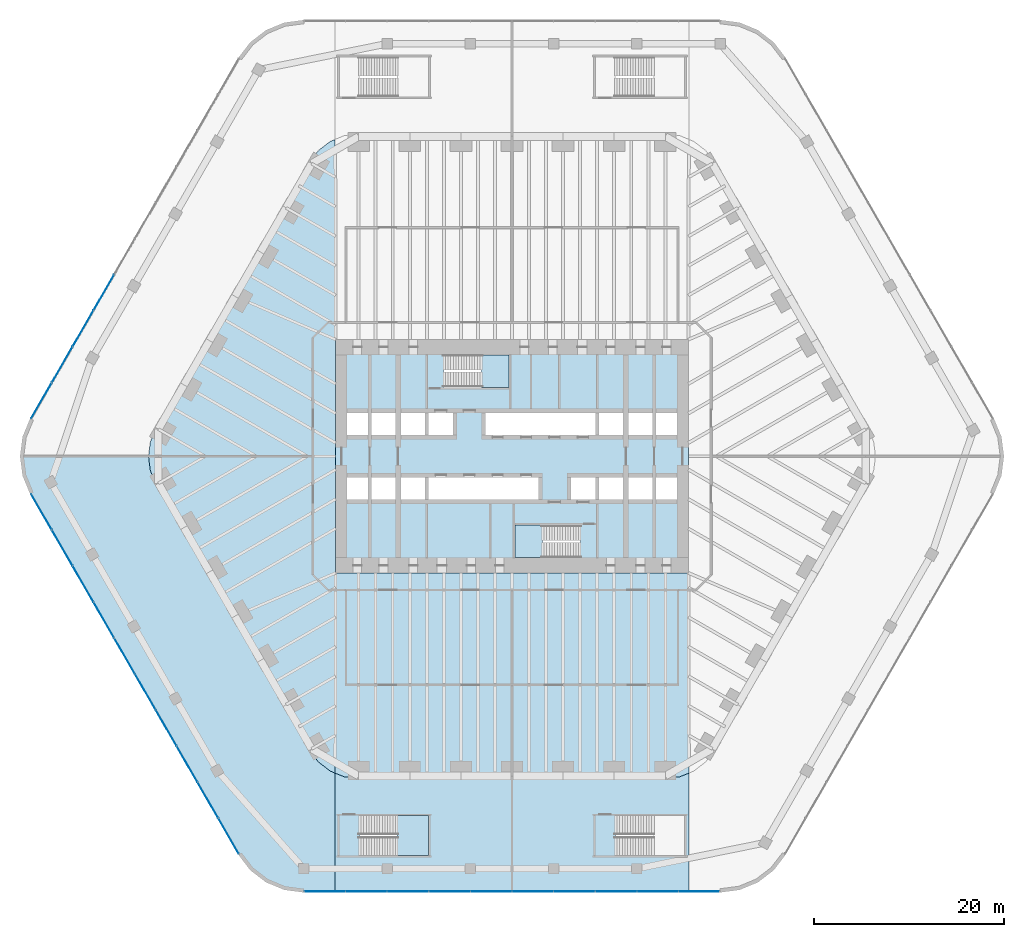
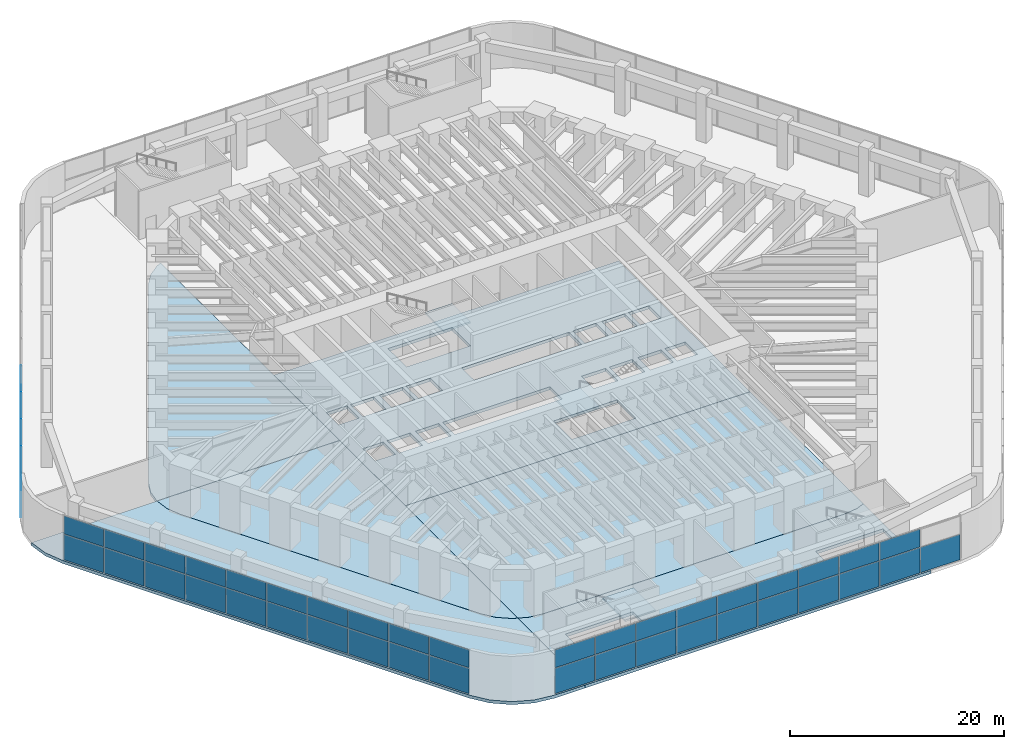
# One storey, part 23 of 31: 47 plates, 9 slabs, 6 elements without a shape of their own.
"""IFC4 building model written with IfcOpenShell, lengths in metres."""

from ifc_helpers import new_model, si_unit, direction, frame, origin, origin_2d, place, context, subcontext, project, spatial, polyline, rectangle, outline, extrude, material, layer, layer_set, type_object, element, aggregate, save


model = new_model("IFC4")

# Units and contexts
model_context = context("Model", 3, precision=1e-05, world=origin(), true_north=direction((0.0, 1.0)))
body_context = subcontext(model_context, "Body", "Model", "MODEL_VIEW")
ifc_project = project(units=[si_unit("LENGTHUNIT", "METRE"), si_unit("AREAUNIT", "SQUARE_METRE"), si_unit("VOLUMEUNIT", "CUBIC_METRE"), si_unit("PLANEANGLEUNIT", "RADIAN"), si_unit("MASSUNIT", "GRAM", prefix="KILO")], contexts=[model_context])

# Site, building, storey
site_placement = place(None, origin())
site = spatial("IfcSite", under=ifc_project, at=site_placement, CompositionType="ELEMENT")
building_placement = place(site_placement, origin())
building = spatial("IfcBuilding", under=site, at=building_placement, Name="Tarfa Lantern Tower", CompositionType="ELEMENT")
storey_placement = place(building_placement, frame((0.0, 0.0, 13.0)))
storey = spatial("IfcBuildingStorey", under=building, at=storey_placement, Name="L02", CompositionType="ELEMENT", Elevation=13.0)

# Curtain wall, plates
ifc_material_1 = material(Name="Aluminium framed curtain wall", Category="aluminium")
curtain_wall_type = type_object("IfcCurtainWallType", Name="CW7 PODIUM GLAZING 5150", PredefinedType="USERDEFINED", material=ifc_material_1)
curtain_wall_1_placement = place(storey_placement, origin())
curtain_wall_1 = element("IfcCurtainWall", 1, at=curtain_wall_1_placement, inside=storey, type_object=curtain_wall_type, Name="CW7 NW L02", ObjectType="CURTAIN WALL", PredefinedType="USERDEFINED")
ifc_material_2 = material(Name="Laminated double glazing", Category="glass")
ifc_layer_1 = layer(ifc_material_2, 0.028076171875)
ifc_layer_set_1 = layer_set([ifc_layer_1], Name="CWP1 DOUBLE GLAZED PANEL")
plate_type = type_object("IfcPlateType", Name="CWP1 DOUBLE GLAZED PANEL", PredefinedType="CURTAIN_PANEL", material=ifc_layer_set_1)
plate_1_placement = place(storey_placement, frame((-43.04150390625, 17.25, 0.06494140625), z_axis=(0.0, 0.0, 1.0), x_axis=(-0.5, -0.866025403784, 0.0)))
plate_1 = element("IfcPlate", 2, at=plate_1_placement, type_object=plate_type, Name="CW7 panel 7.1", PredefinedType="CURTAIN_PANEL", context=body_context, shape_type="SweptSolid", body=[
    extrude(rectangle(XDim=4.32275390625, YDim=0.028076171875, at=origin_2d()), origin(), (0.0, 0.0, 1.0), 2.902587890625),
])
plate_2_placement = place(storey_placement, frame((-43.04150390625, 17.25, 3.03271484375), z_axis=(0.0, 0.0, 1.0), x_axis=(-0.5, -0.866025403784, 0.0)))
plate_2 = element("IfcPlate", 3, at=plate_2_placement, type_object=plate_type, Name="CW7 panel 7.2", PredefinedType="CURTAIN_PANEL", context=body_context, shape_type="SweptSolid", body=[
    extrude(rectangle(XDim=4.32275390625, YDim=0.028076171875, at=origin_2d()), origin(), (0.0, 0.0, 1.0), 2.052490234375),
])
plate_3_placement = place(storey_placement, frame((-45.2353515625, 13.449951171875, 0.06494140625), z_axis=(0.0, 0.0, 1.0), x_axis=(-0.5, -0.866025403784, 0.0)))
plate_3 = element("IfcPlate", 4, at=plate_3_placement, type_object=plate_type, Name="CW7 panel 8.1", PredefinedType="CURTAIN_PANEL", context=body_context, shape_type="SweptSolid", body=[
    extrude(rectangle(XDim=4.32275390625, YDim=0.028076171875, at=origin_2d()), origin(), (0.0, 0.0, 1.0), 2.902587890625),
])
plate_4_placement = place(storey_placement, frame((-45.2353515625, 13.449951171875, 3.03271484375), z_axis=(0.0, 0.0, 1.0), x_axis=(-0.5, -0.866025403784, 0.0)))
plate_4 = element("IfcPlate", 5, at=plate_4_placement, type_object=plate_type, Name="CW7 panel 8.2", PredefinedType="CURTAIN_PANEL", context=body_context, shape_type="SweptSolid", body=[
    extrude(rectangle(XDim=4.32275390625, YDim=0.028076171875, at=origin_2d()), origin(), (0.0, 0.0, 1.0), 2.052490234375),
])
plate_5_placement = place(storey_placement, frame((-47.429443359375, 9.64990234375, 0.06494140625), z_axis=(0.0, 0.0, 1.0), x_axis=(-0.5, -0.866025403784, 0.0)))
plate_5 = element("IfcPlate", 6, at=plate_5_placement, type_object=plate_type, Name="CW7 panel 9.1", PredefinedType="CURTAIN_PANEL", context=body_context, shape_type="SweptSolid", body=[
    extrude(rectangle(XDim=4.32275390625, YDim=0.028076171875, at=origin_2d()), origin(), (0.0, 0.0, 1.0), 2.902587890625),
])
plate_6_placement = place(storey_placement, frame((-47.429443359375, 9.64990234375, 3.03271484375), z_axis=(0.0, 0.0, 1.0), x_axis=(-0.5, -0.866025403784, 0.0)))
plate_6 = element("IfcPlate", 7, at=plate_6_placement, type_object=plate_type, Name="CW7 panel 9.2", PredefinedType="CURTAIN_PANEL", context=body_context, shape_type="SweptSolid", body=[
    extrude(rectangle(XDim=4.32275390625, YDim=0.028076171875, at=origin_2d()), origin(), (0.0, 0.0, 1.0), 2.052490234375),
])
plate_7_placement = place(storey_placement, frame((-49.615234375, 5.864013671875, 0.06494140625), z_axis=(0.0, 0.0, 1.0), x_axis=(-0.5, -0.866025403784, 0.0)))
plate_7 = element("IfcPlate", 8, at=plate_7_placement, type_object=plate_type, Name="CW7 panel 10.1", PredefinedType="CURTAIN_PANEL", context=body_context, shape_type="SweptSolid", body=[
    extrude(rectangle(XDim=4.290283203125, YDim=0.028076171875, at=origin_2d()), origin(), (0.0, 0.0, 1.0), 2.902587890625),
])
plate_8_placement = place(storey_placement, frame((-49.615234375, 5.864013671875, 3.03271484375), z_axis=(0.0, 0.0, 1.0), x_axis=(-0.5, -0.866025403784, 0.0)))
plate_8 = element("IfcPlate", 9, at=plate_8_placement, type_object=plate_type, Name="CW7 panel 10.2", PredefinedType="CURTAIN_PANEL", context=body_context, shape_type="SweptSolid", body=[
    extrude(rectangle(XDim=4.290283203125, YDim=0.028076171875, at=origin_2d()), origin(), (0.0, 0.0, 1.0), 2.052490234375),
])
aggregate(curtain_wall_1, [plate_1, plate_2, plate_3, plate_4, plate_5, plate_6, plate_7, plate_8])

curtain_wall_2_placement = place(storey_placement, origin())
curtain_wall_2 = element("IfcCurtainWall", 10, at=curtain_wall_2_placement, inside=storey, type_object=curtain_wall_type, Name="CW7 SW L02", ObjectType="CURTAIN WALL", PredefinedType="USERDEFINED")
plate_9_placement = place(storey_placement, frame((-49.615234375, -5.864013671875, 0.06494140625), z_axis=(0.0, 0.0, 1.0), x_axis=(0.5, -0.866025403784, 0.0)))
plate_9 = element("IfcPlate", 11, at=plate_9_placement, type_object=plate_type, Name="CW7 panel 1.1", PredefinedType="CURTAIN_PANEL", context=body_context, shape_type="SweptSolid", body=[
    extrude(rectangle(XDim=4.290283203125, YDim=0.028076171875, at=origin_2d()), origin(), (0.0, 0.0, 1.0), 2.902587890625),
])
plate_10_placement = place(storey_placement, frame((-49.615234375, -5.864013671875, 3.03271484375), z_axis=(0.0, 0.0, 1.0), x_axis=(0.5, -0.866025403784, 0.0)))
plate_10 = element("IfcPlate", 12, at=plate_10_placement, type_object=plate_type, Name="CW7 panel 1.2", PredefinedType="CURTAIN_PANEL", context=body_context, shape_type="SweptSolid", body=[
    extrude(rectangle(XDim=4.290283203125, YDim=0.028076171875, at=origin_2d()), origin(), (0.0, 0.0, 1.0), 2.052490234375),
])
plate_11_placement = place(storey_placement, frame((-47.429443359375, -9.64990234375, 0.06494140625), z_axis=(0.0, 0.0, 1.0), x_axis=(0.5, -0.866025403784, 0.0)))
plate_11 = element("IfcPlate", 13, at=plate_11_placement, type_object=plate_type, Name="CW7 panel 2.1", PredefinedType="CURTAIN_PANEL", context=body_context, shape_type="SweptSolid", body=[
    extrude(rectangle(XDim=4.32275390625, YDim=0.028076171875, at=origin_2d()), origin(), (0.0, 0.0, 1.0), 2.902587890625),
])
plate_12_placement = place(storey_placement, frame((-47.429443359375, -9.64990234375, 3.03271484375), z_axis=(0.0, 0.0, 1.0), x_axis=(0.5, -0.866025403784, 0.0)))
plate_12 = element("IfcPlate", 14, at=plate_12_placement, type_object=plate_type, Name="CW7 panel 2.2", PredefinedType="CURTAIN_PANEL", context=body_context, shape_type="SweptSolid", body=[
    extrude(rectangle(XDim=4.32275390625, YDim=0.028076171875, at=origin_2d()), origin(), (0.0, 0.0, 1.0), 2.052490234375),
])
plate_13_placement = place(storey_placement, frame((-45.2353515625, -13.449951171875, 0.06494140625), z_axis=(0.0, 0.0, 1.0), x_axis=(0.5, -0.866025403784, 0.0)))
plate_13 = element("IfcPlate", 15, at=plate_13_placement, type_object=plate_type, Name="CW7 panel 3.1", PredefinedType="CURTAIN_PANEL", context=body_context, shape_type="SweptSolid", body=[
    extrude(rectangle(XDim=4.32275390625, YDim=0.028076171875, at=origin_2d()), origin(), (0.0, 0.0, 1.0), 2.902587890625),
])
plate_14_placement = place(storey_placement, frame((-45.2353515625, -13.449951171875, 3.03271484375), z_axis=(0.0, 0.0, 1.0), x_axis=(0.5, -0.866025403784, 0.0)))
plate_14 = element("IfcPlate", 16, at=plate_14_placement, type_object=plate_type, Name="CW7 panel 3.2", PredefinedType="CURTAIN_PANEL", context=body_context, shape_type="SweptSolid", body=[
    extrude(rectangle(XDim=4.32275390625, YDim=0.028076171875, at=origin_2d()), origin(), (0.0, 0.0, 1.0), 2.052490234375),
])
plate_15_placement = place(storey_placement, frame((-43.04150390625, -17.25, 0.06494140625), z_axis=(0.0, 0.0, 1.0), x_axis=(0.5, -0.866025403784, 0.0)))
plate_15 = element("IfcPlate", 17, at=plate_15_placement, type_object=plate_type, Name="CW7 panel 4.1", PredefinedType="CURTAIN_PANEL", context=body_context, shape_type="SweptSolid", body=[
    extrude(rectangle(XDim=4.32275390625, YDim=0.028076171875, at=origin_2d()), origin(), (0.0, 0.0, 1.0), 2.902587890625),
])
plate_16_placement = place(storey_placement, frame((-43.04150390625, -17.25, 3.03271484375), z_axis=(0.0, 0.0, 1.0), x_axis=(0.5, -0.866025403784, 0.0)))
plate_16 = element("IfcPlate", 18, at=plate_16_placement, type_object=plate_type, Name="CW7 panel 4.2", PredefinedType="CURTAIN_PANEL", context=body_context, shape_type="SweptSolid", body=[
    extrude(rectangle(XDim=4.32275390625, YDim=0.028076171875, at=origin_2d()), origin(), (0.0, 0.0, 1.0), 2.052490234375),
])
plate_17_placement = place(storey_placement, frame((-40.847412109375, -21.050048828125, 0.06494140625), z_axis=(0.0, 0.0, 1.0), x_axis=(0.5, -0.866025403784, 0.0)))
plate_17 = element("IfcPlate", 19, at=plate_17_placement, type_object=plate_type, Name="CW7 panel 5.1", PredefinedType="CURTAIN_PANEL", context=body_context, shape_type="SweptSolid", body=[
    extrude(rectangle(XDim=4.32275390625, YDim=0.028076171875, at=origin_2d()), origin(), (0.0, 0.0, 1.0), 2.902587890625),
])
plate_18_placement = place(storey_placement, frame((-40.847412109375, -21.050048828125, 3.03271484375), z_axis=(0.0, 0.0, 1.0), x_axis=(0.5, -0.866025403784, 0.0)))
plate_18 = element("IfcPlate", 20, at=plate_18_placement, type_object=plate_type, Name="CW7 panel 5.2", PredefinedType="CURTAIN_PANEL", context=body_context, shape_type="SweptSolid", body=[
    extrude(rectangle(XDim=4.32275390625, YDim=0.028076171875, at=origin_2d()), origin(), (0.0, 0.0, 1.0), 2.052490234375),
])
plate_19_placement = place(storey_placement, frame((-38.653564453125, -24.85009765625, 0.06494140625), z_axis=(0.0, 0.0, 1.0), x_axis=(0.5, -0.866025403784, 0.0)))
plate_19 = element("IfcPlate", 21, at=plate_19_placement, type_object=plate_type, Name="CW7 panel 6.1", PredefinedType="CURTAIN_PANEL", context=body_context, shape_type="SweptSolid", body=[
    extrude(rectangle(XDim=4.32275390625, YDim=0.028076171875, at=origin_2d()), origin(), (0.0, 0.0, 1.0), 2.902587890625),
])
plate_20_placement = place(storey_placement, frame((-38.653564453125, -24.85009765625, 3.03271484375), z_axis=(0.0, 0.0, 1.0), x_axis=(0.5, -0.866025403784, 0.0)))
plate_20 = element("IfcPlate", 22, at=plate_20_placement, type_object=plate_type, Name="CW7 panel 6.2", PredefinedType="CURTAIN_PANEL", context=body_context, shape_type="SweptSolid", body=[
    extrude(rectangle(XDim=4.32275390625, YDim=0.028076171875, at=origin_2d()), origin(), (0.0, 0.0, 1.0), 2.052490234375),
])
plate_21_placement = place(storey_placement, frame((-36.459716796875, -28.64990234375, 0.06494140625), z_axis=(0.0, 0.0, 1.0), x_axis=(0.5, -0.866025403784, 0.0)))
plate_21 = element("IfcPlate", 23, at=plate_21_placement, type_object=plate_type, Name="CW7 panel 7.1", PredefinedType="CURTAIN_PANEL", context=body_context, shape_type="SweptSolid", body=[
    extrude(rectangle(XDim=4.32275390625, YDim=0.028076171875, at=origin_2d()), origin(), (0.0, 0.0, 1.0), 2.902587890625),
])
plate_22_placement = place(storey_placement, frame((-36.459716796875, -28.64990234375, 3.03271484375), z_axis=(0.0, 0.0, 1.0), x_axis=(0.5, -0.866025403784, 0.0)))
plate_22 = element("IfcPlate", 24, at=plate_22_placement, type_object=plate_type, Name="CW7 panel 7.2", PredefinedType="CURTAIN_PANEL", context=body_context, shape_type="SweptSolid", body=[
    extrude(rectangle(XDim=4.32275390625, YDim=0.028076171875, at=origin_2d()), origin(), (0.0, 0.0, 1.0), 2.052490234375),
])
plate_23_placement = place(storey_placement, frame((-34.265625, -32.449951171875, 0.06494140625), z_axis=(0.0, 0.0, 1.0), x_axis=(0.5, -0.866025403784, 0.0)))
plate_23 = element("IfcPlate", 25, at=plate_23_placement, type_object=plate_type, Name="CW7 panel 8.1", PredefinedType="CURTAIN_PANEL", context=body_context, shape_type="SweptSolid", body=[
    extrude(rectangle(XDim=4.32275390625, YDim=0.028076171875, at=origin_2d()), origin(), (0.0, 0.0, 1.0), 2.902587890625),
])
plate_24_placement = place(storey_placement, frame((-34.265625, -32.449951171875, 3.03271484375), z_axis=(0.0, 0.0, 1.0), x_axis=(0.5, -0.866025403784, 0.0)))
plate_24 = element("IfcPlate", 26, at=plate_24_placement, type_object=plate_type, Name="CW7 panel 8.2", PredefinedType="CURTAIN_PANEL", context=body_context, shape_type="SweptSolid", body=[
    extrude(rectangle(XDim=4.32275390625, YDim=0.028076171875, at=origin_2d()), origin(), (0.0, 0.0, 1.0), 2.052490234375),
])
plate_25_placement = place(storey_placement, frame((-32.07177734375, -36.25, 0.06494140625), z_axis=(0.0, 0.0, 1.0), x_axis=(0.5, -0.866025403784, 0.0)))
plate_25 = element("IfcPlate", 27, at=plate_25_placement, type_object=plate_type, Name="CW7 panel 9.1", PredefinedType="CURTAIN_PANEL", context=body_context, shape_type="SweptSolid", body=[
    extrude(rectangle(XDim=4.32275390625, YDim=0.028076171875, at=origin_2d()), origin(), (0.0, 0.0, 1.0), 2.902587890625),
])
plate_26_placement = place(storey_placement, frame((-32.07177734375, -36.25, 3.03271484375), z_axis=(0.0, 0.0, 1.0), x_axis=(0.5, -0.866025403784, 0.0)))
plate_26 = element("IfcPlate", 28, at=plate_26_placement, type_object=plate_type, Name="CW7 panel 9.2", PredefinedType="CURTAIN_PANEL", context=body_context, shape_type="SweptSolid", body=[
    extrude(rectangle(XDim=4.32275390625, YDim=0.028076171875, at=origin_2d()), origin(), (0.0, 0.0, 1.0), 2.052490234375),
])
plate_27_placement = place(storey_placement, frame((-29.885986328125, -40.035888671875, 0.06494140625), z_axis=(0.0, 0.0, 1.0), x_axis=(0.5, -0.866025403784, 0.0)))
plate_27 = element("IfcPlate", 29, at=plate_27_placement, type_object=plate_type, Name="CW7 panel 10.1", PredefinedType="CURTAIN_PANEL", context=body_context, shape_type="SweptSolid", body=[
    extrude(rectangle(XDim=4.290283203125, YDim=0.028076171875, at=origin_2d()), origin(), (0.0, 0.0, 1.0), 2.902587890625),
])
plate_28_placement = place(storey_placement, frame((-29.885986328125, -40.035888671875, 3.03271484375), z_axis=(0.0, 0.0, 1.0), x_axis=(0.5, -0.866025403784, 0.0)))
plate_28 = element("IfcPlate", 30, at=plate_28_placement, type_object=plate_type, Name="CW7 panel 10.2", PredefinedType="CURTAIN_PANEL", context=body_context, shape_type="SweptSolid", body=[
    extrude(rectangle(XDim=4.290283203125, YDim=0.028076171875, at=origin_2d()), origin(), (0.0, 0.0, 1.0), 2.052490234375),
])
aggregate(curtain_wall_2, [plate_9, plate_10, plate_11, plate_12, plate_13, plate_14, plate_15, plate_16, plate_17, plate_18, plate_19, plate_20, plate_21, plate_22, plate_23, plate_24, plate_25, plate_26, plate_27, plate_28])

curtain_wall_3_placement = place(storey_placement, origin())
curtain_wall_3 = element("IfcCurtainWall", 31, at=curtain_wall_3_placement, inside=storey, type_object=curtain_wall_type, Name="CW7 S L02", ObjectType="CURTAIN WALL", PredefinedType="USERDEFINED")
plate_29_placement = place(storey_placement, frame((-19.729248046875, -45.89990234375, 0.06494140625), z_axis=(0.0, 0.0, 1.0), x_axis=(1.0, 0.0, 0.0)))
plate_29 = element("IfcPlate", 32, at=plate_29_placement, type_object=plate_type, Name="CW7 panel 1.1", PredefinedType="CURTAIN_PANEL", context=body_context, shape_type="SweptSolid", body=[
    extrude(rectangle(XDim=4.290283203125, YDim=0.028076171875, at=origin_2d()), origin(), (0.0, 0.0, 1.0), 2.902587890625),
])
plate_30_placement = place(storey_placement, frame((-19.729248046875, -45.89990234375, 3.03271484375), z_axis=(0.0, 0.0, 1.0), x_axis=(1.0, 0.0, 0.0)))
plate_30 = element("IfcPlate", 33, at=plate_30_placement, type_object=plate_type, Name="CW7 panel 1.2", PredefinedType="CURTAIN_PANEL", context=body_context, shape_type="SweptSolid", body=[
    extrude(rectangle(XDim=4.290283203125, YDim=0.028076171875, at=origin_2d()), origin(), (0.0, 0.0, 1.0), 2.052490234375),
])
plate_31_placement = place(storey_placement, frame((-15.357421875, -45.89990234375, 0.06494140625), z_axis=(0.0, 0.0, 1.0), x_axis=(1.0, 0.0, 0.0)))
plate_31 = element("IfcPlate", 34, at=plate_31_placement, type_object=plate_type, Name="CW7 panel 2.1", PredefinedType="CURTAIN_PANEL", context=body_context, shape_type="SweptSolid", body=[
    extrude(rectangle(XDim=4.32275390625, YDim=0.028076171875, at=origin_2d()), origin(), (0.0, 0.0, 1.0), 2.902587890625),
])
plate_32_placement = place(storey_placement, frame((-15.357421875, -45.89990234375, 3.03271484375), z_axis=(0.0, 0.0, 1.0), x_axis=(1.0, 0.0, 0.0)))
plate_32 = element("IfcPlate", 35, at=plate_32_placement, type_object=plate_type, Name="CW7 panel 2.2", PredefinedType="CURTAIN_PANEL", context=body_context, shape_type="SweptSolid", body=[
    extrude(rectangle(XDim=4.32275390625, YDim=0.028076171875, at=origin_2d()), origin(), (0.0, 0.0, 1.0), 2.052490234375),
])
plate_33_placement = place(storey_placement, frame((-10.9697265625, -45.89990234375, 0.06494140625), z_axis=(0.0, 0.0, 1.0), x_axis=(1.0, 0.0, 0.0)))
plate_33 = element("IfcPlate", 36, at=plate_33_placement, type_object=plate_type, Name="CW7 panel 3.1", PredefinedType="CURTAIN_PANEL", context=body_context, shape_type="SweptSolid", body=[
    extrude(rectangle(XDim=4.32275390625, YDim=0.028076171875, at=origin_2d()), origin(), (0.0, 0.0, 1.0), 2.902587890625),
])
plate_34_placement = place(storey_placement, frame((-10.9697265625, -45.89990234375, 3.03271484375), z_axis=(0.0, 0.0, 1.0), x_axis=(1.0, 0.0, 0.0)))
plate_34 = element("IfcPlate", 37, at=plate_34_placement, type_object=plate_type, Name="CW7 panel 3.2", PredefinedType="CURTAIN_PANEL", context=body_context, shape_type="SweptSolid", body=[
    extrude(rectangle(XDim=4.32275390625, YDim=0.028076171875, at=origin_2d()), origin(), (0.0, 0.0, 1.0), 2.052490234375),
])
plate_35_placement = place(storey_placement, frame((-6.581787109375, -45.89990234375, 0.06494140625), z_axis=(0.0, 0.0, 1.0), x_axis=(1.0, 0.0, 0.0)))
plate_35 = element("IfcPlate", 38, at=plate_35_placement, type_object=plate_type, Name="CW7 panel 4.1", PredefinedType="CURTAIN_PANEL", context=body_context, shape_type="SweptSolid", body=[
    extrude(rectangle(XDim=4.32275390625, YDim=0.028076171875, at=origin_2d()), origin(), (0.0, 0.0, 1.0), 2.902587890625),
])
plate_36_placement = place(storey_placement, frame((-6.581787109375, -45.89990234375, 3.03271484375), z_axis=(0.0, 0.0, 1.0), x_axis=(1.0, 0.0, 0.0)))
plate_36 = element("IfcPlate", 39, at=plate_36_placement, type_object=plate_type, Name="CW7 panel 4.2", PredefinedType="CURTAIN_PANEL", context=body_context, shape_type="SweptSolid", body=[
    extrude(rectangle(XDim=4.32275390625, YDim=0.028076171875, at=origin_2d()), origin(), (0.0, 0.0, 1.0), 2.052490234375),
])
plate_37_placement = place(storey_placement, frame((-2.19384765625, -45.89990234375, 0.06494140625), z_axis=(0.0, 0.0, 1.0), x_axis=(1.0, 0.0, 0.0)))
plate_37 = element("IfcPlate", 40, at=plate_37_placement, type_object=plate_type, Name="CW7 panel 5.1", PredefinedType="CURTAIN_PANEL", context=body_context, shape_type="SweptSolid", body=[
    extrude(rectangle(XDim=4.32275390625, YDim=0.028076171875, at=origin_2d()), origin(), (0.0, 0.0, 1.0), 2.902587890625),
])
plate_38_placement = place(storey_placement, frame((-2.19384765625, -45.89990234375, 3.03271484375), z_axis=(0.0, 0.0, 1.0), x_axis=(1.0, 0.0, 0.0)))
plate_38 = element("IfcPlate", 41, at=plate_38_placement, type_object=plate_type, Name="CW7 panel 5.2", PredefinedType="CURTAIN_PANEL", context=body_context, shape_type="SweptSolid", body=[
    extrude(rectangle(XDim=4.32275390625, YDim=0.028076171875, at=origin_2d()), origin(), (0.0, 0.0, 1.0), 2.052490234375),
])
plate_39_placement = place(storey_placement, frame((2.19384765625, -45.89990234375, 0.06494140625), z_axis=(0.0, 0.0, 1.0), x_axis=(1.0, 0.0, 0.0)))
plate_39 = element("IfcPlate", 42, at=plate_39_placement, type_object=plate_type, Name="CW7 panel 6.1", PredefinedType="CURTAIN_PANEL", context=body_context, shape_type="SweptSolid", body=[
    extrude(rectangle(XDim=4.32275390625, YDim=0.028076171875, at=origin_2d()), origin(), (0.0, 0.0, 1.0), 2.902587890625),
])
plate_40_placement = place(storey_placement, frame((2.19384765625, -45.89990234375, 3.03271484375), z_axis=(0.0, 0.0, 1.0), x_axis=(1.0, 0.0, 0.0)))
plate_40 = element("IfcPlate", 43, at=plate_40_placement, type_object=plate_type, Name="CW7 panel 6.2", PredefinedType="CURTAIN_PANEL", context=body_context, shape_type="SweptSolid", body=[
    extrude(rectangle(XDim=4.32275390625, YDim=0.028076171875, at=origin_2d()), origin(), (0.0, 0.0, 1.0), 2.052490234375),
])
plate_41_placement = place(storey_placement, frame((6.581787109375, -45.89990234375, 0.06494140625), z_axis=(0.0, 0.0, 1.0), x_axis=(1.0, 0.0, 0.0)))
plate_41 = element("IfcPlate", 44, at=plate_41_placement, type_object=plate_type, Name="CW7 panel 7.1", PredefinedType="CURTAIN_PANEL", context=body_context, shape_type="SweptSolid", body=[
    extrude(rectangle(XDim=4.32275390625, YDim=0.028076171875, at=origin_2d()), origin(), (0.0, 0.0, 1.0), 2.902587890625),
])
plate_42_placement = place(storey_placement, frame((6.581787109375, -45.89990234375, 3.03271484375), z_axis=(0.0, 0.0, 1.0), x_axis=(1.0, 0.0, 0.0)))
plate_42 = element("IfcPlate", 45, at=plate_42_placement, type_object=plate_type, Name="CW7 panel 7.2", PredefinedType="CURTAIN_PANEL", context=body_context, shape_type="SweptSolid", body=[
    extrude(rectangle(XDim=4.32275390625, YDim=0.028076171875, at=origin_2d()), origin(), (0.0, 0.0, 1.0), 2.052490234375),
])
plate_43_placement = place(storey_placement, frame((10.9697265625, -45.89990234375, 0.06494140625), z_axis=(0.0, 0.0, 1.0), x_axis=(1.0, 0.0, 0.0)))
plate_43 = element("IfcPlate", 46, at=plate_43_placement, type_object=plate_type, Name="CW7 panel 8.1", PredefinedType="CURTAIN_PANEL", context=body_context, shape_type="SweptSolid", body=[
    extrude(rectangle(XDim=4.32275390625, YDim=0.028076171875, at=origin_2d()), origin(), (0.0, 0.0, 1.0), 2.902587890625),
])
plate_44_placement = place(storey_placement, frame((10.9697265625, -45.89990234375, 3.03271484375), z_axis=(0.0, 0.0, 1.0), x_axis=(1.0, 0.0, 0.0)))
plate_44 = element("IfcPlate", 47, at=plate_44_placement, type_object=plate_type, Name="CW7 panel 8.2", PredefinedType="CURTAIN_PANEL", context=body_context, shape_type="SweptSolid", body=[
    extrude(rectangle(XDim=4.32275390625, YDim=0.028076171875, at=origin_2d()), origin(), (0.0, 0.0, 1.0), 2.052490234375),
])
plate_45_placement = place(storey_placement, frame((15.357421875, -45.89990234375, 0.06494140625), z_axis=(0.0, 0.0, 1.0), x_axis=(1.0, 0.0, 0.0)))
plate_45 = element("IfcPlate", 48, at=plate_45_placement, type_object=plate_type, Name="CW7 panel 9.1", PredefinedType="CURTAIN_PANEL", context=body_context, shape_type="SweptSolid", body=[
    extrude(rectangle(XDim=4.32275390625, YDim=0.028076171875, at=origin_2d()), origin(), (0.0, 0.0, 1.0), 2.902587890625),
])
plate_46_placement = place(storey_placement, frame((15.357421875, -45.89990234375, 3.03271484375), z_axis=(0.0, 0.0, 1.0), x_axis=(1.0, 0.0, 0.0)))
plate_46 = element("IfcPlate", 49, at=plate_46_placement, type_object=plate_type, Name="CW7 panel 9.2", PredefinedType="CURTAIN_PANEL", context=body_context, shape_type="SweptSolid", body=[
    extrude(rectangle(XDim=4.32275390625, YDim=0.028076171875, at=origin_2d()), origin(), (0.0, 0.0, 1.0), 2.052490234375),
])
plate_47_placement = place(storey_placement, frame((19.729248046875, -45.89990234375, 0.06494140625), z_axis=(0.0, 0.0, 1.0), x_axis=(1.0, 0.0, 0.0)))
plate_47 = element("IfcPlate", 50, at=plate_47_placement, type_object=plate_type, Name="CW7 panel 10.1", PredefinedType="CURTAIN_PANEL", context=body_context, shape_type="SweptSolid", body=[
    extrude(rectangle(XDim=4.290283203125, YDim=0.028076171875, at=origin_2d()), origin(), (0.0, 0.0, 1.0), 2.902587890625),
])
aggregate(curtain_wall_3, [plate_29, plate_30, plate_31, plate_32, plate_33, plate_34, plate_35, plate_36, plate_37, plate_38, plate_39, plate_40, plate_41, plate_42, plate_43, plate_44, plate_45, plate_46, plate_47])

# Slabs
ifc_material_3 = material(Name="Concrete C40/50", Category="concrete")
ifc_layer_2 = layer(ifc_material_3, 0.35009765625)
ifc_layer_set_2 = layer_set([ifc_layer_2], Name="FS3 FLOOR SLAB 350")
slab_type_1 = type_object("IfcSlabType", Name="FS3 FLOOR SLAB 350", PredefinedType="FLOOR", material=ifc_layer_set_2)
slab_1_placement = place(storey_placement, frame((0.0, 0.0, -0.35009765625)))
element("IfcSlab", 51, at=slab_1_placement, inside=storey, type_object=slab_type_1, Name="Floor slab L02", PredefinedType="FLOOR", context=body_context, shape_type="SweptSolid", body=[
    extrude(outline(polyline([(-18.60009765625, -12.300048828125), (18.60009765625, -12.300048828125), (18.60009765625, 12.300048828125), (-18.60009765625, 12.300048828125), (-18.60009765625, -12.300048828125)]), holes=[polyline([(-17.39990234375, 2.25), (-15.199951171875, 2.25), (-15.199951171875, 4.550048828125), (-17.39990234375, 4.550048828125), (-17.39990234375, 2.25)]), polyline([(-14.800048828125, 2.25), (-12.300048828125, 2.25), (-12.300048828125, 4.550048828125), (-14.800048828125, 4.550048828125), (-14.800048828125, 2.25)]), polyline([(-11.699951171875, 2.25), (-9.199951171875, 2.25), (-9.199951171875, 4.550048828125), (-11.699951171875, 4.550048828125), (-11.699951171875, 2.25)]), polyline([(-8.800048828125, 2.25), (-6.199951171875, 2.25), (-6.199951171875, 4.550048828125), (-8.800048828125, 4.550048828125), (-8.800048828125, 2.25)]), polyline([(-2.800048828125, 2.25), (8.800048828125, 2.25), (8.800048828125, 4.550048828125), (-2.800048828125, 4.550048828125), (-2.800048828125, 2.25)]), polyline([(9.199951171875, 2.25), (11.699951171875, 2.25), (11.699951171875, 4.550048828125), (9.199951171875, 4.550048828125), (9.199951171875, 2.25)]), polyline([(12.300048828125, 2.25), (14.800048828125, 2.25), (14.800048828125, 4.550048828125), (12.300048828125, 4.550048828125), (12.300048828125, 2.25)]), polyline([(15.199951171875, 2.25), (17.39990234375, 2.25), (17.39990234375, 4.550048828125), (15.199951171875, 4.550048828125), (15.199951171875, 2.25)]), polyline([(17.39990234375, -2.25), (15.199951171875, -2.25), (15.199951171875, -4.550048828125), (17.39990234375, -4.550048828125), (17.39990234375, -2.25)]), polyline([(14.800048828125, -2.25), (12.300048828125, -2.25), (12.300048828125, -4.550048828125), (14.800048828125, -4.550048828125), (14.800048828125, -2.25)]), polyline([(11.699951171875, -2.25), (9.199951171875, -2.25), (9.199951171875, -4.550048828125), (11.699951171875, -4.550048828125), (11.699951171875, -2.25)]), polyline([(8.800048828125, -2.25), (6.199951171875, -2.25), (6.199951171875, -4.550048828125), (8.800048828125, -4.550048828125), (8.800048828125, -2.25)]), polyline([(2.800048828125, -2.25), (-8.800048828125, -2.25), (-8.800048828125, -4.550048828125), (2.800048828125, -4.550048828125), (2.800048828125, -2.25)]), polyline([(-9.199951171875, -2.25), (-11.699951171875, -2.25), (-11.699951171875, -4.550048828125), (-9.199951171875, -4.550048828125), (-9.199951171875, -2.25)]), polyline([(-12.300048828125, -2.25), (-14.800048828125, -2.25), (-14.800048828125, -4.550048828125), (-12.300048828125, -4.550048828125), (-12.300048828125, -2.25)]), polyline([(-15.199951171875, -2.25), (-17.39990234375, -2.25), (-17.39990234375, -4.550048828125), (-15.199951171875, -4.550048828125), (-15.199951171875, -2.25)]), polyline([(-7.199951171875, 7.25), (-0.300048828125, 7.25), (-0.300048828125, 10.699951171875), (-7.199951171875, 10.699951171875), (-7.199951171875, 7.25)]), polyline([(7.199951171875, -7.25), (0.300048828125, -7.25), (0.300048828125, -10.699951171875), (7.199951171875, -10.699951171875), (7.199951171875, -7.25)])]), origin(), (0.0, 0.0, 1.0), 0.35009765625),
])
slab_2_placement = place(storey_placement, frame((0.0, 0.0, -0.35009765625)))
element("IfcSlab", 52, at=slab_2_placement, inside=storey, type_object=slab_type_1, Name="Floor slab L02 NW bay", PredefinedType="FLOOR", context=body_context, shape_type="SweptSolid", body=[
    extrude(outline(polyline([(-18.60205078125, 0.001953125), (-18.60205078125, 12.300048828125), (-18.64697265625, 33.408935546875), (-19.164794921875, 33.1943359375), (-20.406982421875, 32.2412109375), (-21.3603515625, 30.998779296875), (-37.52587890625, 2.9990234375), (-38.125244140625, 1.552490234375), (-38.329345703125, 0.001953125), (-18.60205078125, 0.001953125)])), origin(), (0.0, 0.0, 1.0), 0.35009765625),
])
slab_3_placement = place(storey_placement, frame((0.0, 0.0, -0.35009765625)))
element("IfcSlab", 53, at=slab_3_placement, inside=storey, type_object=slab_type_1, Name="Floor slab L02 SW bay", PredefinedType="FLOOR", context=body_context, shape_type="SweptSolid", body=[
    extrude(outline(polyline([(-18.60205078125, -12.300048828125), (-18.60205078125, -0.001953125), (-38.329345703125, -0.001953125), (-38.125244140625, -1.552490234375), (-37.52587890625, -2.9990234375), (-21.3603515625, -30.998779296875), (-20.406982421875, -32.2412109375), (-19.164794921875, -33.1943359375), (-18.64697265625, -33.408935546875), (-18.60205078125, -12.300048828125)])), origin(), (0.0, 0.0, 1.0), 0.35009765625),
])
slab_4_placement = place(storey_placement, frame((0.0, 0.0, -0.35009765625)))
element("IfcSlab", 54, at=slab_4_placement, inside=storey, type_object=slab_type_1, Name="Floor slab L02 S bay", PredefinedType="FLOOR", context=body_context, shape_type="SweptSolid", body=[
    extrude(outline(polyline([(18.597900390625, -12.302001953125), (-18.597900390625, -12.302001953125), (-18.64306640625, -33.41064453125), (-17.71826171875, -33.793701171875), (-16.165771484375, -33.998046875), (16.165771484375, -33.998046875), (17.71826171875, -33.793701171875), (18.64306640625, -33.41064453125), (18.597900390625, -12.302001953125)])), origin(), (0.0, 0.0, 1.0), 0.35009765625),
])
slab_5_placement = place(storey_placement, frame((0.0, 0.0, -0.35009765625)))
element("IfcSlab", 55, at=slab_5_placement, inside=storey, type_object=slab_type_1, Name="Floor slab L02 podium-SW bay", PredefinedType="FLOOR", context=body_context, shape_type="SweptSolid", body=[
    extrude(outline(polyline([(-18.64697265625, -33.4130859375), (-19.166748046875, -33.197998046875), (-20.409912109375, -32.244140625), (-21.363525390625, -31.001220703125), (-37.529541015625, -3.0009765625), (-38.129150390625, -1.553466796875), (-38.333251953125, -0.001953125), (-51.876220703125, -0.001953125), (-51.60400390625, -2.070068359375), (-50.804931640625, -3.9990234375), (-28.865966796875, -41.998779296875), (-27.5947265625, -43.655517578125), (-25.938232421875, -44.926513671875), (-24.00927734375, -45.725341796875), (-21.939208984375, -45.998046875), (-18.673828125, -45.998046875), (-18.64697265625, -33.4130859375)])), origin(), (0.0, 0.0, 1.0), 0.35009765625),
])
slab_6_placement = place(storey_placement, frame((0.0, 0.0, -0.35009765625)))
element("IfcSlab", 56, at=slab_6_placement, inside=storey, type_object=slab_type_1, Name="Floor slab L02 podium-S bay", PredefinedType="FLOOR", context=body_context, shape_type="SweptSolid", body=[
    extrude(outline(polyline([(18.64306640625, -33.414794921875), (17.71923828125, -33.797607421875), (16.166015625, -34.001953125), (-16.166015625, -34.001953125), (-17.71923828125, -33.797607421875), (-18.64306640625, -33.414794921875), (-18.669921875, -45.998046875), (18.669921875, -45.998046875), (18.64306640625, -33.414794921875)]), holes=[polyline([(-16.10009765625, -42.10009765625), (-8.800048828125, -42.10009765625), (-8.800048828125, -37.89990234375), (-16.10009765625, -37.89990234375), (-16.10009765625, -42.10009765625)]), polyline([(10.89990234375, -42.10009765625), (18.199951171875, -42.10009765625), (18.199951171875, -37.89990234375), (10.89990234375, -37.89990234375), (10.89990234375, -42.10009765625)])]), origin(), (0.0, 0.0, 1.0), 0.35009765625),
])

# Stair, slab
stair_type_1 = type_object("IfcStairType", Name="ST-T7 HALF-TURN STAIR 5500 RISE", PredefinedType="HALF_TURN_STAIR", material=ifc_material_3)
stair_1_placement = place(storey_placement, origin())
stair_1 = element("IfcStair", 57, at=stair_1_placement, inside=storey, type_object=stair_type_1, Name="Stair ST1", PredefinedType="HALF_TURN_STAIR")
ifc_layer_3 = layer(ifc_material_3, 0.199951171875)
ifc_layer_set_3 = layer_set([ifc_layer_3], Name="SL1 STAIR LANDING 200")
slab_type_2 = type_object("IfcSlabType", Name="SL1 STAIR LANDING 200", PredefinedType="LANDING", material=ifc_layer_set_3)
slab_7_placement = place(storey_placement, frame((0.0, 0.0, 2.550048828125)))
slab_7 = element("IfcSlab", 58, at=slab_7_placement, type_object=slab_type_2, Name="ST1 landing 1", PredefinedType="LANDING", context=body_context, shape_type="SweptSolid", body=[
    extrude(outline(polyline([(-3.199951171875, 7.25), (-0.300048828125, 7.25), (-0.300048828125, 10.699951171875), (-3.199951171875, 10.699951171875), (-3.199951171875, 7.25)])), origin(), (0.0, 0.0, 1.0), 0.199951171875),
])
aggregate(stair_1, [slab_7])

stair_2_placement = place(storey_placement, origin())
stair_2 = element("IfcStair", 59, at=stair_2_placement, inside=storey, type_object=stair_type_1, Name="Stair ST2", PredefinedType="HALF_TURN_STAIR")
slab_8_placement = place(storey_placement, frame((0.0, 0.0, 2.550048828125)))
slab_8 = element("IfcSlab", 60, at=slab_8_placement, type_object=slab_type_2, Name="ST2 landing 1", PredefinedType="LANDING", context=body_context, shape_type="SweptSolid", body=[
    extrude(outline(polyline([(3.199951171875, -7.25), (0.300048828125, -7.25), (0.300048828125, -10.699951171875), (3.199951171875, -10.699951171875), (3.199951171875, -7.25)])), origin(), (0.0, 0.0, 1.0), 0.199951171875),
])
aggregate(stair_2, [slab_8])

stair_type_2 = type_object("IfcStairType", Name="ST-T8 HALF-TURN STAIR 5500 RISE", PredefinedType="HALF_TURN_STAIR", material=ifc_material_3)
stair_3_placement = place(storey_placement, origin())
stair_3 = element("IfcStair", 61, at=stair_3_placement, inside=storey, type_object=stair_type_2, Name="Stair ST5", PredefinedType="HALF_TURN_STAIR")
slab_9_placement = place(storey_placement, frame((0.0, 0.0, 2.550048828125)))
slab_9 = element("IfcSlab", 62, at=slab_9_placement, type_object=slab_type_2, Name="ST5 landing 1", PredefinedType="LANDING", context=body_context, shape_type="SweptSolid", body=[
    extrude(outline(polyline([(-12.10009765625, -42.10009765625), (-8.800048828125, -42.10009765625), (-8.800048828125, -37.89990234375), (-12.10009765625, -37.89990234375), (-12.10009765625, -42.10009765625)])), origin(), (0.0, 0.0, 1.0), 0.199951171875),
])
aggregate(stair_3, [slab_9])

save(model, "model.ifc")
